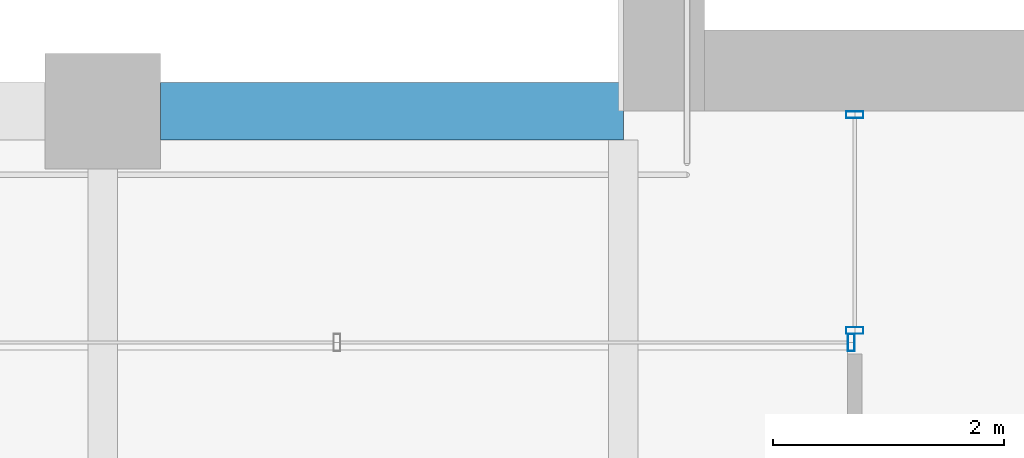
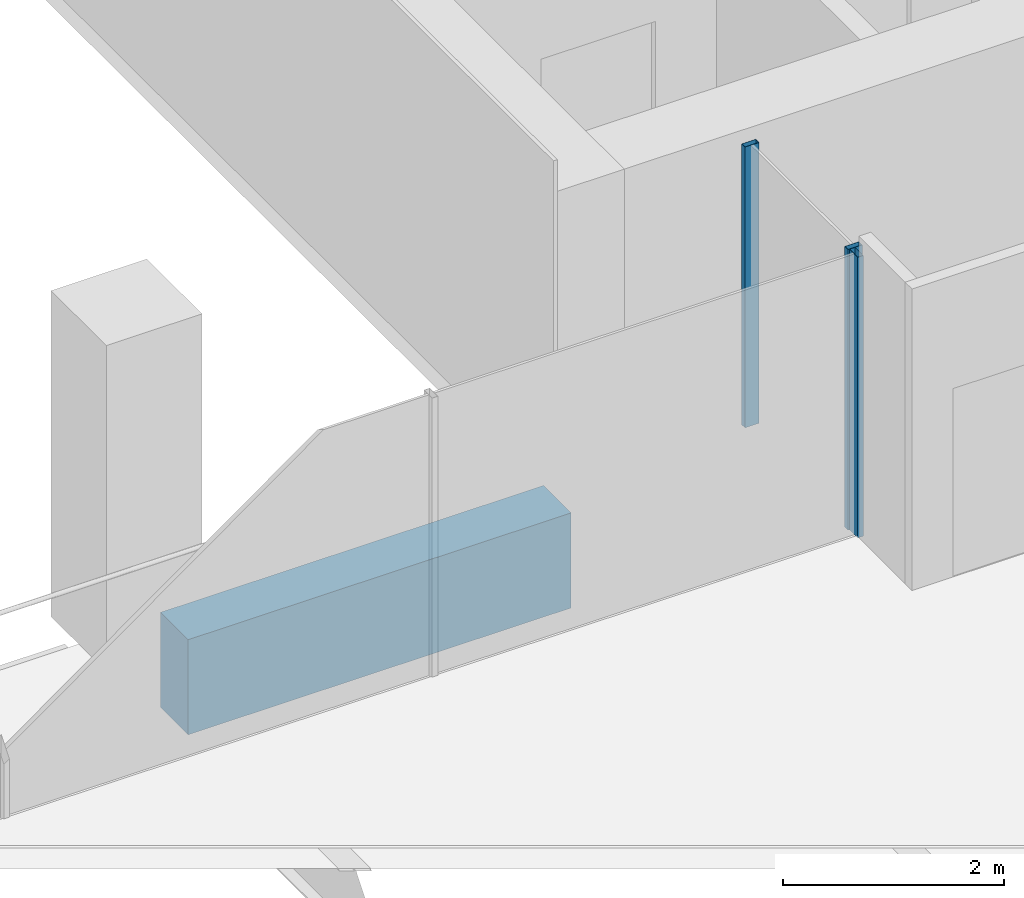
# One storey, part 6 of 45: 3 members, 1 beam, 2 elements without a shape of their own.
"""IFC4 building model written with IfcOpenShell, lengths in metres."""

from ifc_helpers import new_model, si_unit, direction, frame, origin, origin_2d, place, context, subcontext, project, spatial, rectangle, hollow_rectangle, extrude, material, material_profile, profile_set, type_object, element, aggregate, save


model = new_model("IFC4")

# Units and contexts
model_context = context("Model", 3, precision=1e-05, world=origin(), true_north=direction((0.0, 1.0)))
body_context = subcontext(model_context, "Body", "Model", "MODEL_VIEW")
ifc_project = project(units=[si_unit("LENGTHUNIT", "METRE"), si_unit("AREAUNIT", "SQUARE_METRE"), si_unit("VOLUMEUNIT", "CUBIC_METRE"), si_unit("PLANEANGLEUNIT", "RADIAN"), si_unit("MASSUNIT", "GRAM", prefix="KILO")], contexts=[model_context])

# Site, building, storey
site_placement = place(None, origin())
site = spatial("IfcSite", under=ifc_project, at=site_placement, CompositionType="ELEMENT")
building_placement = place(site_placement, origin())
building = spatial("IfcBuilding", under=site, at=building_placement, Name="Altepetl Exchange Towers", CompositionType="ELEMENT")
storey_placement = place(building_placement, frame((0.0, 0.0, 110.0)))
storey = spatial("IfcBuildingStorey", under=building, at=storey_placement, Name="L27", CompositionType="ELEMENT", Elevation=110.0)

# Curtain wall, members
ifc_material_1 = material(Name="Aluminium 6063-T6 glazing", Category="aluminium")
curtain_wall_type = type_object("IfcCurtainWallType", Name="Loggia glazing system", PredefinedType="NOTDEFINED", material=ifc_material_1)
curtain_wall_1_placement = place(storey_placement, origin())
curtain_wall_1 = element("IfcCurtainWall", 1, at=curtain_wall_1_placement, inside=storey, type_object=curtain_wall_type, Name="CW1 run", PredefinedType="NOTDEFINED")
ifc_material_2 = material(Name="Aluminium 6063-T6", Category="aluminium")
ifc_material_profile_1 = material_profile(ifc_material_2, hollow_rectangle(XDim=0.06005859375, YDim=0.14990234375, WallThickness=0.0029296875, at=origin_2d()), Name="Mullion 60x150 aluminium")
ifc_profile_set_1 = profile_set([ifc_material_profile_1], Name="Aluminium 6063-T6")
member_type = type_object("IfcMemberType", Name="Mullion 60x150 aluminium", PredefinedType="MULLION", material=ifc_profile_set_1)
member_1_placement = place(storey_placement, frame((42.5, 40.469970703125, 0.0), z_axis=(0.0, 0.0, 1.0), x_axis=(0.0, -1.0, 0.0)))
member_1 = element("IfcMember", 2, at=member_1_placement, type_object=member_type, Name="MU1 mullion", PredefinedType="MULLION", context=body_context, shape_type="SweptSolid", body=[
    extrude(hollow_rectangle(XDim=0.06005859375, YDim=0.14990234375, WallThickness=0.0029296875, at=origin_2d()), origin(), (0.0, 0.0, 1.0), 3.10009765625),
])
member_2_placement = place(storey_placement, frame((42.5, 38.60498046875, 0.0), z_axis=(0.0, 0.0, 1.0), x_axis=(0.0, -1.0, 0.0)))
member_2 = element("IfcMember", 3, at=member_2_placement, type_object=member_type, Name="MU1 mullion", PredefinedType="MULLION", context=body_context, shape_type="SweptSolid", body=[
    extrude(hollow_rectangle(XDim=0.06005859375, YDim=0.14990234375, WallThickness=0.0029296875, at=origin_2d()), origin(), (0.0, 0.0, 1.0), 3.10009765625),
])
aggregate(curtain_wall_1, [member_1, member_2])

# Curtain wall, member
curtain_wall_2_placement = place(storey_placement, origin())
curtain_wall_2 = element("IfcCurtainWall", 4, at=curtain_wall_2_placement, inside=storey, type_object=curtain_wall_type, Name="CW1 run", PredefinedType="NOTDEFINED")
member_3_placement = place(storey_placement, frame((42.469970703125, 38.5, 0.0), z_axis=(0.0, 0.0, 1.0), x_axis=(-1.0, 0.0, 0.0)))
member_3 = element("IfcMember", 5, at=member_3_placement, type_object=member_type, Name="MU1 mullion", PredefinedType="MULLION", context=body_context, shape_type="SweptSolid", body=[
    extrude(hollow_rectangle(XDim=0.06005859375, YDim=0.14990234375, WallThickness=0.0029296875, at=origin_2d()), origin(), (0.0, 0.0, 1.0), 3.10009765625),
])
aggregate(curtain_wall_2, [member_3])

# Beam
ifc_material_3 = material(Name="Concrete C50/60 precast with tezontle facing", Category="concrete")
ifc_material_profile_2 = material_profile(ifc_material_3, rectangle(XDim=0.5, YDim=1.050048828125, at=origin_2d()), Name="500 x 1050")
ifc_profile_set_2 = profile_set([ifc_material_profile_2], Name="Concrete C50/60 precast with tezontle facing")
beam_type = type_object("IfcBeamType", Name="Spandrel beam 500x1050 tezontle", PredefinedType="SPANDREL", material=ifc_profile_set_2)
beam_placement = place(storey_placement, frame((40.5, 40.5, -0.675048828125), z_axis=(-1.0, 0.0, 0.0), x_axis=(0.0, -1.0, 0.0)))
element("IfcBeam", 6, at=beam_placement, inside=storey, type_object=beam_type, Name="sp:A:L27:033", PredefinedType="SPANDREL", context=body_context, shape_type="SweptSolid", body=[
    extrude(rectangle(XDim=0.5, YDim=1.050048828125, at=origin_2d()), origin(), (0.0, 0.0, 1.0), 4.0),
])

save(model, "model.ifc")
